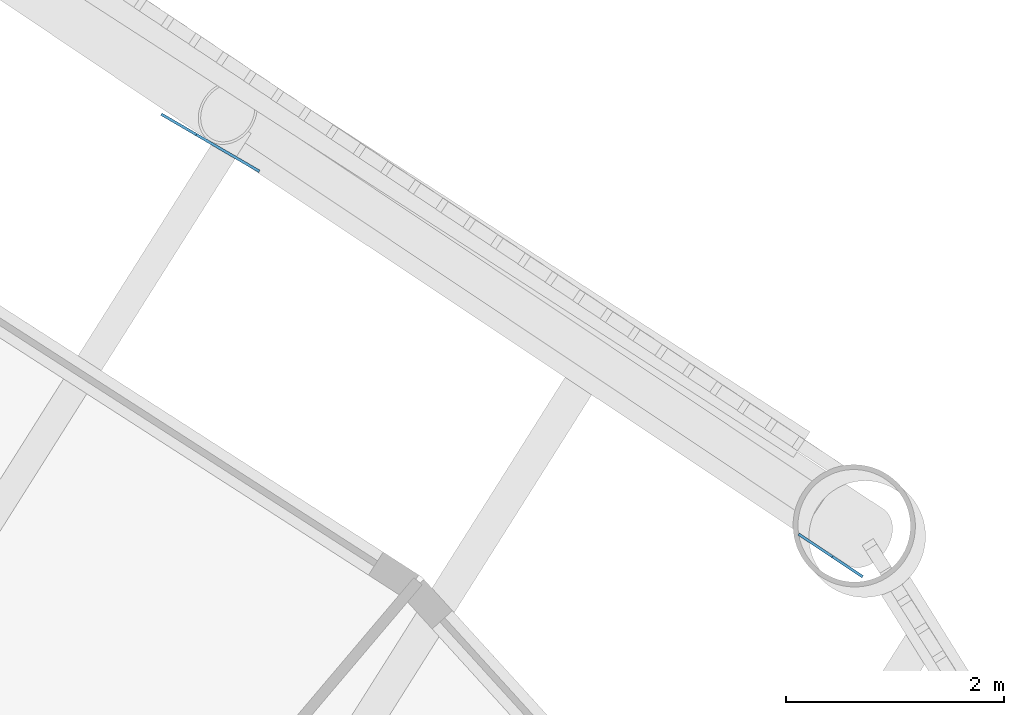
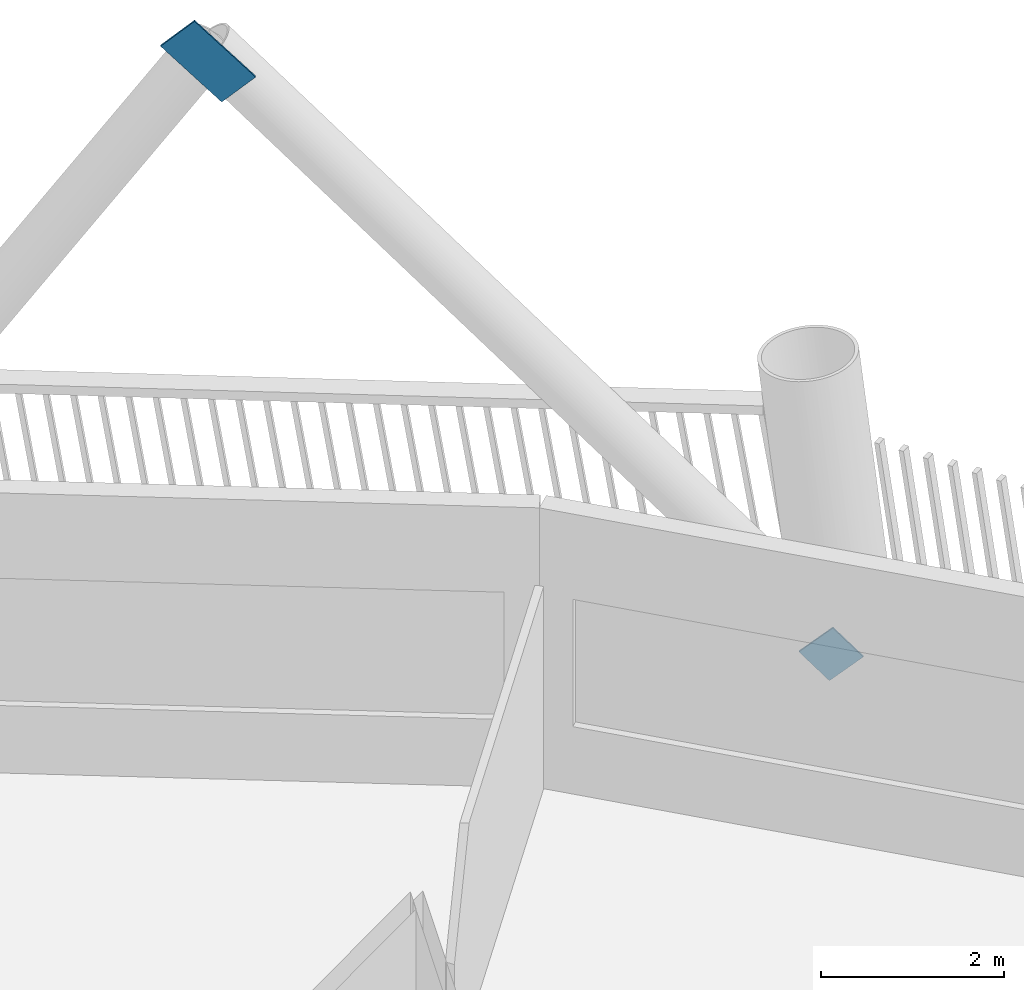
# One storey, part 11 of 22: 2 discrete accessories.
"""IFC4 building model written with IfcOpenShell, lengths in metres."""

from ifc_helpers import new_model, si_unit, direction, frame, origin, origin_2d, place, context, subcontext, project, spatial, rectangle, extrude, material, material_profile, profile_set, type_object, element, save


model = new_model("IFC4")

# Units and contexts
model_context = context("Model", 3, precision=1e-05, world=origin(), true_north=direction((0.0, 1.0)))
body_context = subcontext(model_context, "Body", "Model", "MODEL_VIEW")
ifc_project = project(units=[si_unit("LENGTHUNIT", "METRE"), si_unit("AREAUNIT", "SQUARE_METRE"), si_unit("VOLUMEUNIT", "CUBIC_METRE"), si_unit("PLANEANGLEUNIT", "RADIAN"), si_unit("MASSUNIT", "GRAM", prefix="KILO")], contexts=[model_context])

# Site, building, storey
site_placement = place(None, origin())
site = spatial("IfcSite", under=ifc_project, at=site_placement, CompositionType="ELEMENT")
building_placement = place(site_placement, origin())
building = spatial("IfcBuilding", under=site, at=building_placement, Name="Tarsis Ring Headquarters", CompositionType="ELEMENT")
storey_placement = place(building_placement, frame((0.0, 0.0, 147.60009765625)))
storey = spatial("IfcBuildingStorey", under=building, at=storey_placement, Name="L33", CompositionType="ELEMENT", Elevation=147.60009765625)

# Discrete accessories
ifc_material = material(Name="Structural steel S355", Category="steel")
ifc_material_profile = material_profile(ifc_material, rectangle(XDim=0.02490234375, YDim=0.5, at=origin_2d()), Name="PL 25x500")
ifc_profile_set = profile_set([ifc_material_profile], Name="Structural steel S355")
discrete_accessory_type = type_object("IfcDiscreteAccessoryType", Name="Gusset plate Exo brace 25", PredefinedType="BRACKET", material=ifc_profile_set)
discrete_accessory_1_placement = place(storey_placement, frame((20.69091796875, 19.944580078125, 0.0), z_axis=(-0.556782616364, 0.370700005106, 0.743353633427), x_axis=(-0.554194595593, -0.832387139626, 0.0)))
element("IfcDiscreteAccessory", 1, at=discrete_accessory_1_placement, inside=storey, type_object=discrete_accessory_type, Name="Gusset plate GP5", PredefinedType="BRACKET", context=body_context, shape_type="SweptSolid", body=[
    extrude(rectangle(XDim=0.02490234375, YDim=0.5, at=origin_2d()), origin(), (0.0, 0.0, 1.0), 0.499755859375),
])
discrete_accessory_2_placement = place(storey_placement, frame((15.153564453125, 23.65234375, 7.42822265625), z_axis=(-0.577685529222, 0.336942531837, 0.743471021336), x_axis=(-0.503825624907, -0.863805382993, 0.0)))
element("IfcDiscreteAccessory", 2, at=discrete_accessory_2_placement, inside=storey, type_object=discrete_accessory_type, Name="Gusset plate GP5", PredefinedType="BRACKET", context=body_context, shape_type="SweptSolid", body=[
    extrude(rectangle(XDim=0.02490234375, YDim=0.5, at=origin_2d()), origin(), (0.0, 0.0, 1.0), 1.0),
])

save(model, "model.ifc")
